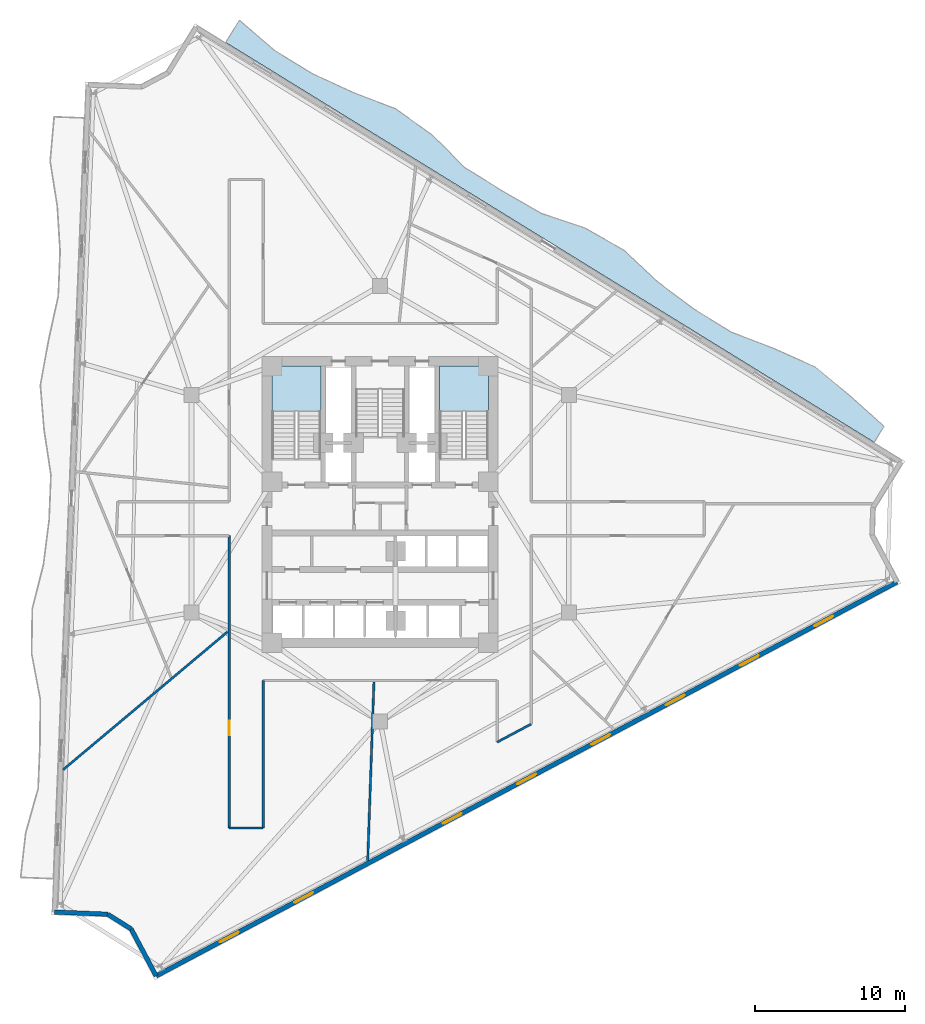
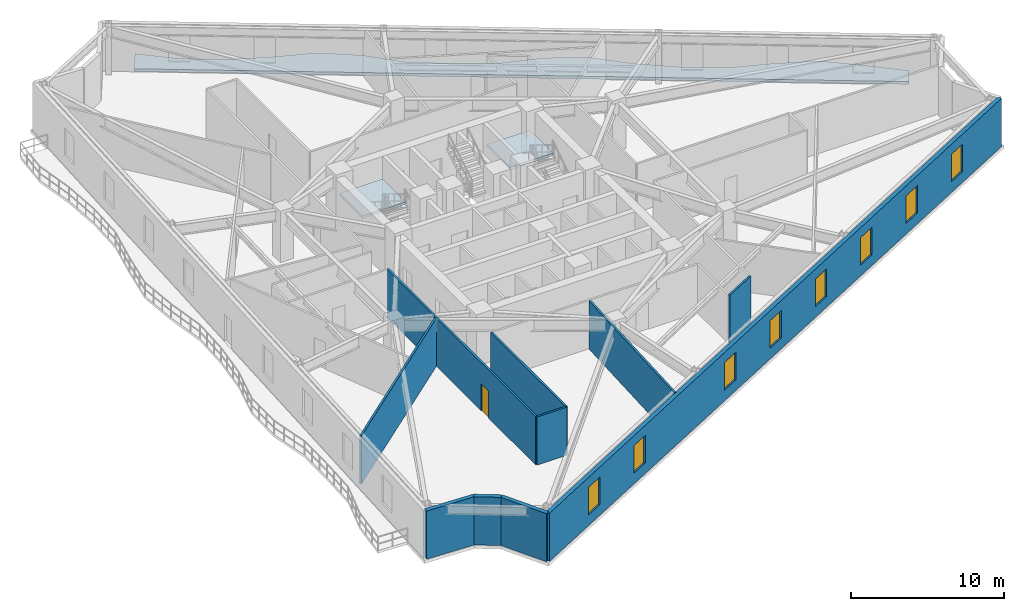
# One storey, part 4 of 10: 10 walls, 8 windows, 3 slabs, 1 door, 9 openings, 2 elements without a shape of their own.
"""IFC4 building model written with IfcOpenShell, lengths in metres."""

from ifc_helpers import new_model, si_unit, direction, frame, frame_2d, origin, place, context, subcontext, project, spatial, polyline, rectangle, outline, extrude, material, layer, layer_set, type_object, element, fill, aggregate, save


model = new_model("IFC4")

# Units and contexts
model_context = context("Model", 3, precision=1e-05, world=origin(), true_north=direction((0.0, 1.0)))
body_context = subcontext(model_context, "Body", "Model", "MODEL_VIEW")
ifc_project = project(units=[si_unit("LENGTHUNIT", "METRE"), si_unit("AREAUNIT", "SQUARE_METRE"), si_unit("VOLUMEUNIT", "CUBIC_METRE"), si_unit("PLANEANGLEUNIT", "RADIAN"), si_unit("MASSUNIT", "GRAM", prefix="KILO")], contexts=[model_context])

# Site, building, storey
site_placement = place(None, origin())
site = spatial("IfcSite", under=ifc_project, at=site_placement, CompositionType="ELEMENT")
building_placement = place(site_placement, origin())
building = spatial("IfcBuilding", under=site, at=building_placement, Name="Apsidion Concourse Tower", CompositionType="ELEMENT")
storey_placement = place(building_placement, frame((0.0, 0.0, 177.800048828125)))
storey = spatial("IfcBuildingStorey", under=building, at=storey_placement, Name="L41", CompositionType="ELEMENT", Elevation=177.800048828125)

# Slab
ifc_material_1 = material(Name="Concrete C50/60", Category="concrete")
ifc_layer_1 = layer(ifc_material_1, 0.219970703125)
ifc_layer_set_1 = layer_set([ifc_layer_1], Name="Concrete C50/60")
slab_type_1 = type_object("IfcSlabType", Name="SL-BAL-220", PredefinedType="FLOOR", material=ifc_layer_set_1)
slab_1_placement = place(storey_placement, frame((0.0, 0.0, -0.219970703125)))
element("IfcSlab", 1, at=slab_1_placement, inside=storey, type_object=slab_type_1, Name="L41 Face 3 Rippling Balcony Slab", PredefinedType="FLOOR", context=body_context, shape_type="SweptSolid", body=[
    extrude(outline(polyline([(32.885498046875, 4.086669921875), (30.346435546875, 5.652587890625), (27.8076171875, 7.21826171875), (25.2685546875, 8.783935546875), (22.7294921875, 10.349609375), (20.1904296875, 11.91552734375), (17.651611328125, 13.481201171875), (15.112548828125, 15.047119140625), (12.573486328125, 16.61279296875), (10.034423828125, 18.178466796875), (7.495361328125, 19.744140625), (4.956298828125, 21.31005859375), (2.41748046875, 22.875732421875), (-0.12158203125, 24.44140625), (-2.66064453125, 26.007080078125), (-5.19970703125, 27.572998046875), (-7.738525390625, 29.138671875), (-10.277587890625, 30.70458984375), (-9.3701171875, 32.176025390625), (-7.08251953125, 30.20263671875), (-4.54345703125, 28.636962890625), (-1.815185546875, 27.378173828125), (1.017333984375, 26.288330078125), (3.4521484375, 24.5537109375), (5.61669921875, 22.380615234375), (8.151611328125, 20.80810546875), (10.73681640625, 19.317138671875), (13.640869140625, 18.343505859375), (16.23486328125, 16.866943359375), (18.451416015625, 14.7783203125), (20.8466796875, 12.9794921875), (23.385498046875, 11.413818359375), (26.218994140625, 10.3251953125), (28.962158203125, 9.0908203125), (31.28857421875, 7.18017578125), (33.54150390625, 5.150634765625), (32.885498046875, 4.086669921875)])), origin(), (0.0, 0.0, 1.0), 0.219970703125),
])

# Stair, slab
ifc_material_2 = material(Name="Precast concrete C40/50", Category="concrete")
stair_type = type_object("IfcStairType", Name="ST-DL-1550", PredefinedType="HALF_TURN_STAIR", material=ifc_material_2)
stair_1_placement = place(storey_placement, origin())
stair_1 = element("IfcStair", 2, at=stair_1_placement, inside=storey, type_object=stair_type, Name="L41 Protected Core Exit Stair ST1", PredefinedType="HALF_TURN_STAIR")
ifc_layer_2 = layer(ifc_material_1, 0.199951171875)
ifc_layer_set_2 = layer_set([ifc_layer_2], Name="Concrete C50/60")
slab_type_2 = type_object("IfcSlabType", Name="SL-ST-LAND-200", PredefinedType="LANDING", material=ifc_layer_set_2)
slab_2_placement = place(storey_placement, frame((0.0, 0.0, 1.849853515625)))
slab_2 = element("IfcSlab", 3, at=slab_2_placement, type_object=slab_type_2, Name="ST1 landing 1", PredefinedType="LANDING", context=body_context, shape_type="SweptSolid", body=[
    extrude(outline(polyline([(-3.949951171875, 6.135009765625), (-3.949951171875, 9.14990234375), (-7.199951171875, 9.14990234375), (-7.199951171875, 6.135009765625), (-3.949951171875, 6.135009765625)])), origin(), (0.0, 0.0, 1.0), 0.2001953125),
])
aggregate(stair_1, [slab_2])

stair_2_placement = place(storey_placement, origin())
stair_2 = element("IfcStair", 4, at=stair_2_placement, inside=storey, type_object=stair_type, Name="L41 Protected Core Exit Stair ST2", PredefinedType="HALF_TURN_STAIR")
slab_3_placement = place(storey_placement, frame((0.0, 0.0, 1.849853515625)))
slab_3 = element("IfcSlab", 5, at=slab_3_placement, type_object=slab_type_2, Name="ST2 landing 1", PredefinedType="LANDING", context=body_context, shape_type="SweptSolid", body=[
    extrude(outline(polyline([(7.199951171875, 6.135009765625), (7.199951171875, 9.14990234375), (3.949951171875, 9.14990234375), (3.949951171875, 6.135009765625), (7.199951171875, 6.135009765625)])), origin(), (0.0, 0.0, 1.0), 0.2001953125),
])
aggregate(stair_2, [slab_3])

# Wall, openings, windows
ifc_layer_3 = layer(ifc_material_2, 0.300048828125)
ifc_layer_set_3 = layer_set([ifc_layer_3], Name="Precast concrete C40/50")
wall_type_1 = type_object("IfcWallType", Name="WL-EXT-300", PredefinedType="STANDARD", material=ifc_layer_set_3)
wall_1_placement = place(storey_placement, frame((34.398193359375, -5.216796875, 0.0), z_axis=(0.0, 0.0, 1.0), x_axis=(-0.88294811928, -0.469470572731, 0.0)))
wall_1 = element("IfcWall", 6, at=wall_1_placement, inside=storey, type_object=wall_type_1, Name="L41 Precast Stone Facade Wall 05", PredefinedType="STANDARD", context=body_context, shape_type="SweptSolid", body=[
    extrude(rectangle(XDim=55.845458984375, YDim=0.300048828125, at=frame_2d((27.9228515625, 0.0))), origin(), (0.0, 0.0, 1.0), 3.849853515625),
])
opening_1_placement = place(wall_1_placement, frame((4.82275390625, 0.0, 0.85009765625)))
opening_1 = element("IfcOpeningElement", 7, at=opening_1_placement, cuts=wall_1, Name="Opening WN-05", PredefinedType="OPENING", context=body_context, shape_type="SweptSolid", body=[
    extrude(rectangle(XDim=1.39990234375, YDim=2.199951171875, at=frame_2d((0.699951171875, 1.10009765625))), frame((0.0, 0.16015625, 0.0), z_axis=(0.0, -1.0, 0.0), x_axis=(1.0, 0.0, 0.0)), (0.0, 0.0, 1.0), 0.320068359375),
])
opening_2_placement = place(wall_1_placement, frame((10.422607421875, 0.0, 0.85009765625)))
opening_2 = element("IfcOpeningElement", 8, at=opening_2_placement, cuts=wall_1, Name="Opening WN-05", PredefinedType="OPENING", context=body_context, shape_type="SweptSolid", body=[
    extrude(rectangle(XDim=1.39990234375, YDim=2.199951171875, at=frame_2d((0.699951171875, 1.10009765625))), frame((0.0, 0.16015625, 0.0), z_axis=(0.0, -1.0, 0.0), x_axis=(1.0, 0.0, 0.0)), (0.0, 0.0, 1.0), 0.320068359375),
])
opening_3_placement = place(wall_1_placement, frame((16.022705078125, 0.0, 0.85009765625)))
opening_3 = element("IfcOpeningElement", 9, at=opening_3_placement, cuts=wall_1, Name="Opening WN-05", PredefinedType="OPENING", context=body_context, shape_type="SweptSolid", body=[
    extrude(rectangle(XDim=1.39990234375, YDim=2.199951171875, at=frame_2d((0.699951171875, 1.10009765625))), frame((0.0, 0.16015625, 0.0), z_axis=(0.0, -1.0, 0.0), x_axis=(1.0, 0.0, 0.0)), (0.0, 0.0, 1.0), 0.320068359375),
])
opening_4_placement = place(wall_1_placement, frame((21.622802734375, 0.0, 0.85009765625)))
opening_4 = element("IfcOpeningElement", 10, at=opening_4_placement, cuts=wall_1, Name="Opening WN-05", PredefinedType="OPENING", context=body_context, shape_type="SweptSolid", body=[
    extrude(rectangle(XDim=1.39990234375, YDim=2.199951171875, at=frame_2d((0.699951171875, 1.10009765625))), frame((0.0, 0.16015625, 0.0), z_axis=(0.0, -1.0, 0.0), x_axis=(1.0, 0.0, 0.0)), (0.0, 0.0, 1.0), 0.320068359375),
])
opening_5_placement = place(wall_1_placement, frame((27.22265625, 0.0, 0.85009765625)))
opening_5 = element("IfcOpeningElement", 11, at=opening_5_placement, cuts=wall_1, Name="Opening WN-05", PredefinedType="OPENING", context=body_context, shape_type="SweptSolid", body=[
    extrude(rectangle(XDim=1.39990234375, YDim=2.199951171875, at=frame_2d((0.699951171875, 1.10009765625))), frame((0.0, 0.16015625, 0.0), z_axis=(0.0, -1.0, 0.0), x_axis=(1.0, 0.0, 0.0)), (0.0, 0.0, 1.0), 0.320068359375),
])
opening_6_placement = place(wall_1_placement, frame((32.82275390625, 0.0, 0.85009765625)))
opening_6 = element("IfcOpeningElement", 12, at=opening_6_placement, cuts=wall_1, Name="Opening WN-05", PredefinedType="OPENING", context=body_context, shape_type="SweptSolid", body=[
    extrude(rectangle(XDim=1.39990234375, YDim=2.199951171875, at=frame_2d((0.699951171875, 1.10009765625))), frame((0.0, 0.16015625, 0.0), z_axis=(0.0, -1.0, 0.0), x_axis=(1.0, 0.0, 0.0)), (0.0, 0.0, 1.0), 0.320068359375),
])
opening_7_placement = place(wall_1_placement, frame((44.022705078125, 0.0, 0.85009765625)))
opening_7 = element("IfcOpeningElement", 13, at=opening_7_placement, cuts=wall_1, Name="Opening WN-05", PredefinedType="OPENING", context=body_context, shape_type="SweptSolid", body=[
    extrude(rectangle(XDim=1.39990234375, YDim=2.199951171875, at=frame_2d((0.699951171875, 1.10009765625))), frame((0.0, 0.16015625, 0.0), z_axis=(0.0, -1.0, 0.0), x_axis=(1.0, 0.0, 0.0)), (0.0, 0.0, 1.0), 0.320068359375),
])
opening_8_placement = place(wall_1_placement, frame((49.622802734375, 0.0, 0.85009765625)))
opening_8 = element("IfcOpeningElement", 14, at=opening_8_placement, cuts=wall_1, Name="Opening WN-05", PredefinedType="OPENING", context=body_context, shape_type="SweptSolid", body=[
    extrude(rectangle(XDim=1.39990234375, YDim=2.199951171875, at=frame_2d((0.699951171875, 1.10009765625))), frame((0.0, 0.16015625, 0.0), z_axis=(0.0, -1.0, 0.0), x_axis=(1.0, 0.0, 0.0)), (0.0, 0.0, 1.0), 0.320068359375),
])
ifc_material_3 = material(Name="Insulated laminated low-E glass", Category="glass")
window_type = type_object("IfcWindowType", Name="WN-OFF-1424", PartitioningType="SINGLE_PANEL", PredefinedType="WINDOW", material=ifc_material_3)
window_1_placement = place(opening_1_placement, origin())
window_1 = element("IfcWindow", 15, at=window_1_placement, inside=storey, type_object=window_type, Name="L41 Punched Facade Window 5-01", OverallHeight=2.199951171875, OverallWidth=1.39990234375, PartitioningType="SINGLE_PANEL", PredefinedType="WINDOW", context=body_context, shape_type="SweptSolid", body=[
    extrude(rectangle(XDim=1.39990234375, YDim=2.199951171875, at=frame_2d((0.699951171875, 1.10009765625))), frame((0.0, 0.030029296875, 0.0), z_axis=(0.0, -1.0, 0.0), x_axis=(1.0, 0.0, 0.0)), (0.0, 0.0, 1.0), 0.06005859375),
])
fill(opening_1, window_1)
window_2_placement = place(opening_2_placement, origin())
window_2 = element("IfcWindow", 16, at=window_2_placement, inside=storey, type_object=window_type, Name="L41 Punched Facade Window 5-02", OverallHeight=2.199951171875, OverallWidth=1.39990234375, PartitioningType="SINGLE_PANEL", PredefinedType="WINDOW", context=body_context, shape_type="SweptSolid", body=[
    extrude(rectangle(XDim=1.39990234375, YDim=2.199951171875, at=frame_2d((0.699951171875, 1.10009765625))), frame((0.0, 0.030029296875, 0.0), z_axis=(0.0, -1.0, 0.0), x_axis=(1.0, 0.0, 0.0)), (0.0, 0.0, 1.0), 0.06005859375),
])
fill(opening_2, window_2)
window_3_placement = place(opening_3_placement, origin())
window_3 = element("IfcWindow", 17, at=window_3_placement, inside=storey, type_object=window_type, Name="L41 Punched Facade Window 5-03", OverallHeight=2.199951171875, OverallWidth=1.39990234375, PartitioningType="SINGLE_PANEL", PredefinedType="WINDOW", context=body_context, shape_type="SweptSolid", body=[
    extrude(rectangle(XDim=1.39990234375, YDim=2.199951171875, at=frame_2d((0.699951171875, 1.10009765625))), frame((0.0, 0.030029296875, 0.0), z_axis=(0.0, -1.0, 0.0), x_axis=(1.0, 0.0, 0.0)), (0.0, 0.0, 1.0), 0.06005859375),
])
fill(opening_3, window_3)
window_4_placement = place(opening_4_placement, origin())
window_4 = element("IfcWindow", 18, at=window_4_placement, inside=storey, type_object=window_type, Name="L41 Punched Facade Window 5-04", OverallHeight=2.199951171875, OverallWidth=1.39990234375, PartitioningType="SINGLE_PANEL", PredefinedType="WINDOW", context=body_context, shape_type="SweptSolid", body=[
    extrude(rectangle(XDim=1.39990234375, YDim=2.199951171875, at=frame_2d((0.699951171875, 1.10009765625))), frame((0.0, 0.030029296875, 0.0), z_axis=(0.0, -1.0, 0.0), x_axis=(1.0, 0.0, 0.0)), (0.0, 0.0, 1.0), 0.06005859375),
])
fill(opening_4, window_4)
window_5_placement = place(opening_5_placement, origin())
window_5 = element("IfcWindow", 19, at=window_5_placement, inside=storey, type_object=window_type, Name="L41 Punched Facade Window 5-05", OverallHeight=2.199951171875, OverallWidth=1.39990234375, PartitioningType="SINGLE_PANEL", PredefinedType="WINDOW", context=body_context, shape_type="SweptSolid", body=[
    extrude(rectangle(XDim=1.39990234375, YDim=2.199951171875, at=frame_2d((0.699951171875, 1.10009765625))), frame((0.0, 0.030029296875, 0.0), z_axis=(0.0, -1.0, 0.0), x_axis=(1.0, 0.0, 0.0)), (0.0, 0.0, 1.0), 0.06005859375),
])
fill(opening_5, window_5)
window_6_placement = place(opening_6_placement, origin())
window_6 = element("IfcWindow", 20, at=window_6_placement, inside=storey, type_object=window_type, Name="L41 Punched Facade Window 5-06", OverallHeight=2.199951171875, OverallWidth=1.39990234375, PartitioningType="SINGLE_PANEL", PredefinedType="WINDOW", context=body_context, shape_type="SweptSolid", body=[
    extrude(rectangle(XDim=1.39990234375, YDim=2.199951171875, at=frame_2d((0.699951171875, 1.10009765625))), frame((0.0, 0.030029296875, 0.0), z_axis=(0.0, -1.0, 0.0), x_axis=(1.0, 0.0, 0.0)), (0.0, 0.0, 1.0), 0.06005859375),
])
fill(opening_6, window_6)
window_7_placement = place(opening_7_placement, origin())
window_7 = element("IfcWindow", 21, at=window_7_placement, inside=storey, type_object=window_type, Name="L41 Punched Facade Window 5-08", OverallHeight=2.199951171875, OverallWidth=1.39990234375, PartitioningType="SINGLE_PANEL", PredefinedType="WINDOW", context=body_context, shape_type="SweptSolid", body=[
    extrude(rectangle(XDim=1.39990234375, YDim=2.199951171875, at=frame_2d((0.699951171875, 1.10009765625))), frame((0.0, 0.030029296875, 0.0), z_axis=(0.0, -1.0, 0.0), x_axis=(1.0, 0.0, 0.0)), (0.0, 0.0, 1.0), 0.06005859375),
])
fill(opening_7, window_7)
window_8_placement = place(opening_8_placement, origin())
window_8 = element("IfcWindow", 22, at=window_8_placement, inside=storey, type_object=window_type, Name="L41 Punched Facade Window 5-09", OverallHeight=2.199951171875, OverallWidth=1.39990234375, PartitioningType="SINGLE_PANEL", PredefinedType="WINDOW", context=body_context, shape_type="SweptSolid", body=[
    extrude(rectangle(XDim=1.39990234375, YDim=2.199951171875, at=frame_2d((0.699951171875, 1.10009765625))), frame((0.0, 0.030029296875, 0.0), z_axis=(0.0, -1.0, 0.0), x_axis=(1.0, 0.0, 0.0)), (0.0, 0.0, 1.0), 0.06005859375),
])
fill(opening_8, window_8)

# Walls
wall_2_placement = place(storey_placement, frame((-14.910400390625, -31.4345703125, 0.0), z_axis=(0.0, 0.0, 1.0), x_axis=(-0.469464339615, 0.882951433449, 0.0)))
element("IfcWall", 23, at=wall_2_placement, inside=storey, type_object=wall_type_1, Name="L41 Precast Stone Facade Wall 06", PredefinedType="STANDARD", context=body_context, shape_type="SweptSolid", body=[
    extrude(rectangle(XDim=3.54150390625, YDim=0.300048828125, at=frame_2d((1.770751953125, 0.0))), origin(), (0.0, 0.0, 1.0), 3.849853515625),
])
wall_3_placement = place(storey_placement, frame((-16.572998046875, -28.3076171875, 0.0), z_axis=(0.0, 0.0, 1.0), x_axis=(-0.846450132201, 0.53246800251, 0.0)))
element("IfcWall", 24, at=wall_3_placement, inside=storey, type_object=wall_type_1, Name="L41 Precast Stone Facade Wall 07", PredefinedType="STANDARD", context=body_context, shape_type="SweptSolid", body=[
    extrude(rectangle(XDim=1.838134765625, YDim=0.300048828125, at=frame_2d((0.9189453125, 0.0))), origin(), (0.0, 0.0, 1.0), 3.849853515625),
])
wall_4_placement = place(storey_placement, frame((-18.12890625, -27.328857421875, 0.0), z_axis=(0.0, 0.0, 1.0), x_axis=(-0.999166906151, 0.040810460083, 0.0)))
element("IfcWall", 25, at=wall_4_placement, inside=storey, type_object=wall_type_1, Name="L41 Precast Stone Facade Wall 08", PredefinedType="STANDARD", context=body_context, shape_type="SweptSolid", body=[
    extrude(rectangle(XDim=3.54150390625, YDim=0.300048828125, at=frame_2d((1.770751953125, 0.0))), origin(), (0.0, 0.0, 1.0), 3.849853515625),
])
ifc_material_4 = material(Name="Gypsum plasterboard partition")
ifc_layer_4 = layer(ifc_material_4, 0.14990234375)
ifc_layer_set_4 = layer_set([ifc_layer_4], Name="Gypsum plasterboard partition")
wall_type_2 = type_object("IfcWallType", Name="WL-INT-PAR-150", PredefinedType="PARTITIONING", material=ifc_layer_set_4)
wall_5_placement = place(storey_placement, frame((10.050048828125, -14.6689453125, 0.0), z_axis=(0.0, 0.0, 1.0), x_axis=(-0.88294894539, -0.469469019035, 0.0)))
element("IfcWall", 26, at=wall_5_placement, inside=storey, type_object=wall_type_2, Name="L41 Interior Partition WL-L41-CORR-01", PredefinedType="PARTITIONING", context=body_context, shape_type="SweptSolid", body=[
    extrude(rectangle(XDim=2.5595703125, YDim=0.14990234375, at=frame_2d((1.27978515625, 0.0))), origin(), (0.0, 0.0, 1.0), 3.849853515625),
])
wall_6_placement = place(storey_placement, frame((-7.7900390625, -11.77490234375, 0.0), z_axis=(0.0, 0.0, 1.0), x_axis=(0.0, -1.0, 0.0)))
element("IfcWall", 27, at=wall_6_placement, inside=storey, type_object=wall_type_2, Name="L41 Interior Partition WL-L41-CORR-04", PredefinedType="PARTITIONING", context=body_context, shape_type="SweptSolid", body=[
    extrude(rectangle(XDim=9.80517578125, YDim=0.14990234375, at=frame_2d((4.902587890625, 0.0))), origin(), (0.0, 0.0, 1.0), 3.849853515625),
])
wall_7_placement = place(storey_placement, frame((-7.7900390625, -21.580078125, 0.0), z_axis=(0.0, 0.0, 1.0), x_axis=(-1.0, 0.0, 0.0)))
element("IfcWall", 28, at=wall_7_placement, inside=storey, type_object=wall_type_2, Name="L41 Interior Partition WL-L41-CORR-05", PredefinedType="PARTITIONING", context=body_context, shape_type="SweptSolid", body=[
    extrude(rectangle(XDim=2.260009765625, YDim=0.14990234375, at=frame_2d((1.1298828125, 0.0))), origin(), (0.0, 0.0, 1.0), 3.849853515625),
])

# Wall, opening, door
wall_8_placement = place(storey_placement, frame((-10.050048828125, -21.580078125, 0.0), z_axis=(0.0, 0.0, 1.0), x_axis=(0.0, 1.0, 0.0)))
wall_8 = element("IfcWall", 29, at=wall_8_placement, inside=storey, type_object=wall_type_2, Name="L41 Interior Partition WL-L41-CORR-06", PredefinedType="PARTITIONING", context=body_context, shape_type="SweptSolid", body=[
    extrude(rectangle(XDim=19.4501953125, YDim=0.14990234375, at=frame_2d((9.72509765625, 0.0))), origin(), (0.0, 0.0, 1.0), 3.849853515625),
])
opening_9_placement = place(wall_8_placement, frame((6.1787109375, 0.0, 0.0)))
opening_9 = element("IfcOpeningElement", 30, at=opening_9_placement, cuts=wall_8, Name="Opening D-01R", PredefinedType="OPENING", context=body_context, shape_type="SweptSolid", body=[
    extrude(rectangle(XDim=0.949951171875, YDim=2.14990234375, at=frame_2d((0.47509765625, 1.074951171875))), frame((0.0, 0.0849609375, 0.0), z_axis=(0.0, -1.0, 0.0), x_axis=(1.0, 0.0, 0.0)), (0.0, 0.0, 1.0), 0.169921875),
])
ifc_material_5 = material(Name="Brushed stainless steel 316", Category="steel")
door_type = type_object("IfcDoorType", Name="DR-INT-D01R", OperationType="SINGLE_SWING_RIGHT", PredefinedType="DOOR", material=ifc_material_5)
door_placement = place(opening_9_placement, origin())
door = element("IfcDoor", 31, at=door_placement, inside=storey, type_object=door_type, Name="L41 Corridor Entry Door 02", OperationType="SINGLE_SWING_RIGHT", OverallHeight=2.14990234375, OverallWidth=0.949951171875, PredefinedType="DOOR", context=body_context, shape_type="SweptSolid", body=[
    extrude(rectangle(XDim=0.949951171875, YDim=2.14990234375, at=frame_2d((0.47509765625, 1.074951171875))), frame((0.0, 0.02490234375, 0.0), z_axis=(0.0, -1.0, 0.0), x_axis=(1.0, 0.0, 0.0)), (0.0, 0.0, 1.0), 0.050048828125),
])
fill(opening_9, door)

# Walls
wall_9_placement = place(storey_placement, frame((-10.155029296875, -8.52099609375, 0.0), z_axis=(0.0, 0.0, 1.0), x_axis=(-0.766040568436, -0.642792227326, 0.0)))
element("IfcWall", 32, at=wall_9_placement, inside=storey, type_object=wall_type_2, Name="L41 Interior Partition WL-L41-RAD-06-1", PredefinedType="PARTITIONING", context=body_context, shape_type="SweptSolid", body=[
    extrude(rectangle(XDim=14.307861328125, YDim=0.14990234375, at=frame_2d((7.15380859375, 0.0))), origin(), (0.0, 0.0, 1.0), 3.849853515625),
])
wall_10_placement = place(storey_placement, frame((-0.414794921875, -11.8798828125, 0.0), z_axis=(0.0, 0.0, 1.0), x_axis=(-0.03489161357, -0.999391102273, 0.0)))
element("IfcWall", 33, at=wall_10_placement, inside=storey, type_object=wall_type_2, Name="L41 Interior Partition WL-L41-RAD-07-1", PredefinedType="PARTITIONING", context=body_context, shape_type="SweptSolid", body=[
    extrude(rectangle(XDim=11.88818359375, YDim=0.14990234375, at=frame_2d((5.944091796875, 0.0))), origin(), (0.0, 0.0, 1.0), 3.849853515625),
])

save(model, "model.ifc")
